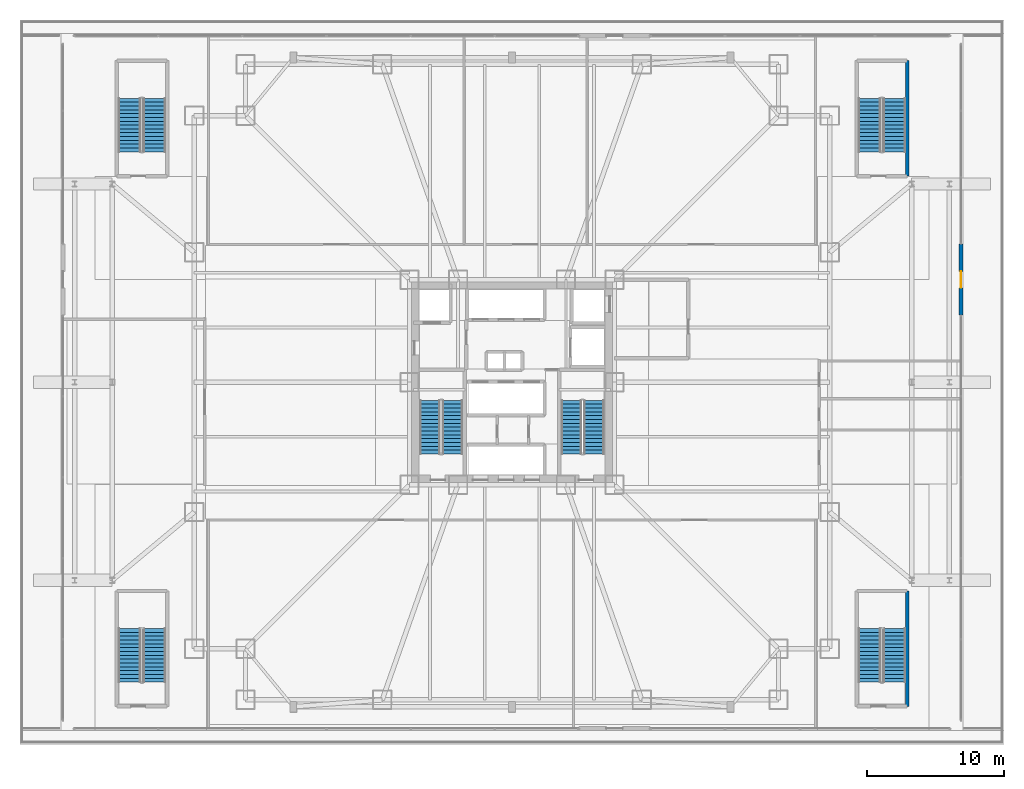
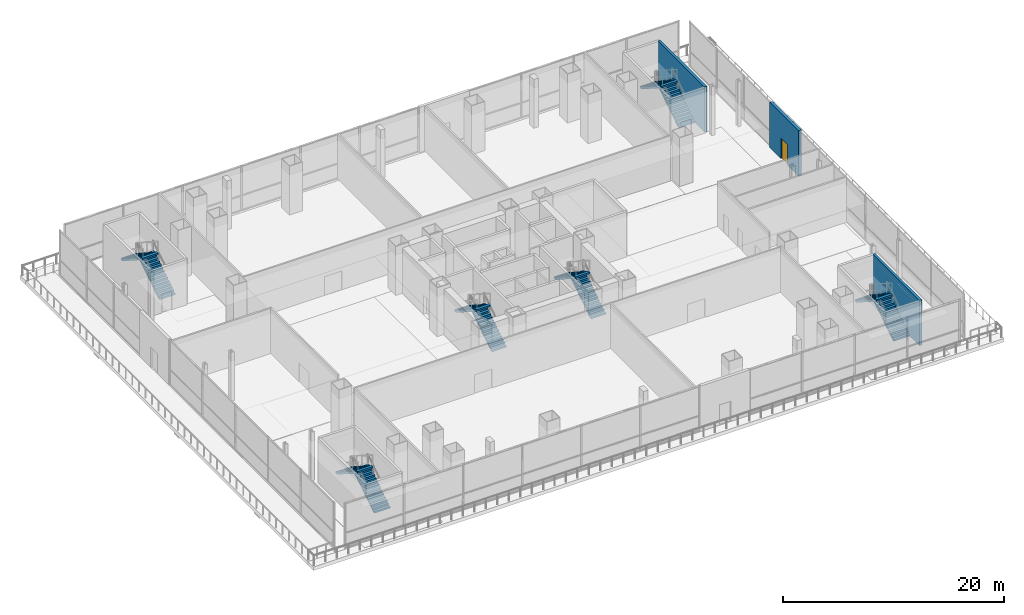
# One storey, part 24 of 36: 12 stair flights, 3 walls, 1 door, 1 opening, 6 elements without a shape of their own.
"""IFC4 building model written with IfcOpenShell, lengths in metres."""

import ifcopenshell
import ifcopenshell.guid

model = None  # the IFC model being written
_history = None  # IfcOwnerHistory: only IFC2X3 demands one
_inside = {}  # id of a spatial element -> (the spatial element, [elements in it])
_under = {}  # id of a project, library or spatial element -> (it, [spatial elements below it])
_declared = {}  # id of a project -> (the project, [libraries it declares])
_typed = {}  # id of a type object -> (the type object, [elements of that type])
_made_of = {}  # id of a material, layer set ... -> (it, [elements and type objects made of it])


def new_model(schema):
    """Start an empty IFC model of exactly this schema.

    Asked for "IFC4X3", IfcOpenShell would pick the latest addendum, in which some entities
    have other attributes; the version numbers below select the first issue.
    IFC2X3 requires an IfcOwnerHistory on every rooted entity: one is made here for all.
    """
    global model, _history
    if schema == "IFC4X3":
        model = ifcopenshell.file(schema_version=(4, 3, 0, 0))
    else:
        model = ifcopenshell.file(schema=schema)
    _inside.clear()
    _under.clear()
    _declared.clear()
    _typed.clear()
    _made_of.clear()
    _history = None
    if model.schema == "IFC2X3":
        org = make("IfcOrganization", Name="unknown")
        user = make(
            "IfcPersonAndOrganization",
            ThePerson=make("IfcPerson", FamilyName="unknown"),
            TheOrganization=org,
        )
        app = make(
            "IfcApplication",
            ApplicationDeveloper=org,
            Version="unknown",
            ApplicationFullName="unknown",
            ApplicationIdentifier="unknown",
        )
        _history = make(
            "IfcOwnerHistory",
            OwningUser=user,
            OwningApplication=app,
            ChangeAction="ADDED",
            CreationDate=0,
        )
    return model


def make(cls, **values):
    """One entity of the class cls with the attributes given. An attribute that is None is left unset."""
    return model.create_entity(
        cls, **{name: value for name, value in values.items() if value is not None}
    )


def rooted(cls, **values):
    """An entity with a GlobalId (a new one), such as an element, a storey or a relation."""
    return make(cls, GlobalId=ifcopenshell.guid.new(), OwnerHistory=_history, **values)


def si_unit(unit_type, name, prefix=None):
    """IfcSIUnit, for example si_unit("LENGTHUNIT", "METRE", prefix="MILLI")."""
    return make("IfcSIUnit", UnitType=unit_type, Prefix=prefix, Name=name)


def assignment(units):
    """IfcUnitAssignment: the units of a project."""
    return None if units is None else make("IfcUnitAssignment", Units=units)


def point(xyz):
    """IfcCartesianPoint."""
    return None if xyz is None else make("IfcCartesianPoint", Coordinates=xyz)


def direction(xyz):
    """IfcDirection."""
    return None if xyz is None else make("IfcDirection", DirectionRatios=xyz)


def frame(location, z_axis=None, x_axis=None):
    """IfcAxis2Placement3D, a coordinate frame: its origin and axes. An axis left out is left unset."""
    return make(
        "IfcAxis2Placement3D",
        Location=point(location),
        Axis=direction(z_axis),
        RefDirection=direction(x_axis),
    )


def frame_2d(location, x_axis=None):
    """IfcAxis2Placement2D, a coordinate frame in the plane: its origin and x axis."""
    return make(
        "IfcAxis2Placement2D", Location=point(location), RefDirection=direction(x_axis)
    )


def origin():
    """The frame at (0, 0, 0) with its axes left unset."""
    return frame((0.0, 0.0, 0.0))


def place(relative_to, where):
    """IfcLocalPlacement: puts the frame where relative to a parent placement (None: the world)."""
    return make(
        "IfcLocalPlacement", PlacementRelTo=relative_to, RelativePlacement=where
    )


def context(
    kind, dimensions, precision=None, world=None, true_north=None, identifier=None
):
    """IfcGeometricRepresentationContext, for example the 3D "Model" context."""
    return make(
        "IfcGeometricRepresentationContext",
        ContextIdentifier=identifier,
        ContextType=kind,
        CoordinateSpaceDimension=dimensions,
        Precision=precision,
        WorldCoordinateSystem=world,
        TrueNorth=true_north,
    )


def subcontext(parent, identifier, kind, view, scale=None):
    """IfcGeometricRepresentationSubContext, for example "Body" below "Model"."""
    return make(
        "IfcGeometricRepresentationSubContext",
        ContextIdentifier=identifier,
        ContextType=kind,
        ParentContext=parent,
        TargetScale=scale,
        TargetView=view,
    )


def project(units=None, contexts=None):
    """IfcProject with its units and contexts."""
    return rooted(
        "IfcProject",
        Name="project",
        RepresentationContexts=contexts,
        UnitsInContext=assignment(units),
    )


def spatial(cls, under=None, at=None, **own):
    """A site, building, storey or space (cls), placed at a placement, below another one or the project."""
    s = rooted(cls, ObjectPlacement=at, **own)
    if under is not None:
        _under.setdefault(under.id(), (under, []))[1].append(s)
    return s


def polyline(points):
    """IfcPolyline through the points."""
    return make("IfcPolyline", Points=[point(p) for p in points])


def profile(cls, at=None, kind="AREA", **sizes):
    """A parametric profile (cls). Its sizes go by their IFC names, for example OverallWidth=200.0."""
    return make(cls, ProfileType=kind, Position=at, **sizes)


def rectangle(**sizes):
    """IfcRectangleProfileDef."""
    return profile("IfcRectangleProfileDef", **sizes)


def outline(outer, holes=None, kind="AREA"):
    """IfcArbitraryClosedProfileDef: a profile drawn as a closed curve; with holes, ...WithVoids."""
    if holes is None:
        return make("IfcArbitraryClosedProfileDef", ProfileType=kind, OuterCurve=outer)
    return make(
        "IfcArbitraryProfileDefWithVoids",
        ProfileType=kind,
        OuterCurve=outer,
        InnerCurves=holes,
    )


def extrude(swept, where, along, depth):
    """IfcExtrudedAreaSolid: the profile swept, set in the frame where, extruded along a direction by depth."""
    return make(
        "IfcExtrudedAreaSolid",
        SweptArea=swept,
        Position=where,
        ExtrudedDirection=direction(along),
        Depth=depth,
    )


def shape(context_of_items, identifier, shape_type, items):
    """IfcShapeRepresentation: the items that make up one representation, for example the "Body"."""
    return make(
        "IfcShapeRepresentation",
        ContextOfItems=context_of_items,
        RepresentationIdentifier=identifier,
        RepresentationType=shape_type,
        Items=items,
    )


def material(Name=None, Category=None):
    """IfcMaterial."""
    return make("IfcMaterial", Name=Name, Category=Category)


def layer(
    of_material, thickness, ventilated=None, Name=None, Category=None, Priority=None
):
    """IfcMaterialLayer: one layer of a wall or slab, of a material (None: an air gap)."""
    return make(
        "IfcMaterialLayer",
        Material=of_material,
        LayerThickness=thickness,
        IsVentilated=ventilated,
        Name=Name,
        Category=Category,
        Priority=Priority,
    )


def layer_set(layers, Name=None):
    """IfcMaterialLayerSet."""
    return make("IfcMaterialLayerSet", MaterialLayers=layers, LayerSetName=Name)


def made_of(thing, what):
    """Note that an element or type object is made of a material, layer set ...; save() writes the relation."""
    if what is not None:
        _made_of.setdefault(what.id(), (what, []))[1].append(thing)
    return thing


def type_object(cls, material=None, **own):
    """A type object (cls), such as IfcWallType, which elements share."""
    return made_of(rooted(cls, **own), material)


def element(
    cls,
    number,
    at=None,
    inside=None,
    cuts=None,
    type_object=None,
    material=None,
    context=None,
    identifier="Body",
    shape_type=None,
    held_by="IfcProductDefinitionShape",
    body=None,
    shapes=None,
    **own,
):
    """One element of the class cls, such as IfcWall. Its Tag is "e" and its number.

    at: its placement. inside: the storey or other place that contains it. cuts: it is an
    opening in that element (IfcRelVoidsElement). A single representation is given by context,
    identifier, shape_type and body (its items); several are given by shapes. held_by: the class
    of the entity that holds the representations. save() writes the other relations.
    """
    e = rooted(cls, Tag="e%d" % number, ObjectPlacement=at, **own)
    if body is not None:
        shapes = [shape(context, identifier, shape_type, body)]
    if shapes is not None:
        e.Representation = make(held_by, Representations=shapes)
    if inside is not None:
        _inside.setdefault(inside.id(), (inside, []))[1].append(e)
    if cuts is not None:
        rooted(
            "IfcRelVoidsElement", RelatingBuildingElement=cuts, RelatedOpeningElement=e
        )
    if type_object is not None:
        _typed.setdefault(type_object.id(), (type_object, []))[1].append(e)
    return made_of(e, material)


def fill(opening, filler):
    """IfcRelFillsElement: the door or window that sits in an opening."""
    return rooted(
        "IfcRelFillsElement",
        RelatingOpeningElement=opening,
        RelatedBuildingElement=filler,
    )


def aggregate(whole, parts):
    """IfcRelAggregates: a whole, such as a stair, and the parts it consists of."""
    return rooted("IfcRelAggregates", RelatingObject=whole, RelatedObjects=parts)


def save(model, path):
    """Write the relations noted so far, then the file.

    IfcRelAggregates (storeys below a building ...), IfcRelContainedInSpatialStructure (elements
    in a storey), IfcRelDefinesByType, IfcRelAssociatesMaterial and IfcRelDeclares: one each for
    every whole, place, type object, material and project.
    """
    for whole, parts in _under.values():
        aggregate(whole, parts)
    for where, things in _inside.values():
        rooted(
            "IfcRelContainedInSpatialStructure",
            RelatedElements=things,
            RelatingStructure=where,
        )
    for kind, things in _typed.values():
        rooted("IfcRelDefinesByType", RelatedObjects=things, RelatingType=kind)
    for what, things in _made_of.values():
        rooted("IfcRelAssociatesMaterial", RelatedObjects=things, RelatingMaterial=what)
    for by, libraries in _declared.values():
        rooted("IfcRelDeclares", RelatingContext=by, RelatedDefinitions=libraries)
    model.write(path)


model = new_model("IFC4")

# Units and contexts
model_context = context("Model", 3, precision=1e-05, world=origin(), true_north=direction((0.0, 1.0)))
body_context = subcontext(model_context, "Body", "Model", "MODEL_VIEW")
ifc_project = project(units=[si_unit("LENGTHUNIT", "METRE"), si_unit("AREAUNIT", "SQUARE_METRE"), si_unit("VOLUMEUNIT", "CUBIC_METRE"), si_unit("PLANEANGLEUNIT", "RADIAN"), si_unit("MASSUNIT", "GRAM", prefix="KILO")], contexts=[model_context])

# Site, building, storey
site_placement = place(None, origin())
site = spatial("IfcSite", under=ifc_project, at=site_placement, CompositionType="ELEMENT")
building_placement = place(site_placement, origin())
building = spatial("IfcBuilding", under=site, at=building_placement, Name="Trevonay Congress Spire", CompositionType="ELEMENT")
storey_placement = place(building_placement, frame((0.0, 0.0, 16.199951171875)))
storey = spatial("IfcBuildingStorey", under=building, at=storey_placement, Name="L03", CompositionType="ELEMENT", Elevation=16.199951171875)

# Wall, opening, door
ifc_material_1 = material(Name="Precast concrete C40/50", Category="concrete")
ifc_layer_1 = layer(ifc_material_1, 0.300048828125, Name="Precast concrete C40/50")
ifc_layer_set_1 = layer_set([ifc_layer_1], Name="Precast concrete C40/50")
wall_type_1 = type_object("IfcWallType", Name="WAL-EXT-PRECAST-300", PredefinedType="SOLIDWALL", material=ifc_layer_set_1)
wall_placement = place(storey_placement, frame((32.85009765625, 4.89990234375, 0.0), z_axis=(0.0, 0.0, 1.0), x_axis=(0.0, 1.0, 0.0)))
wall = element("IfcWall", 1, at=wall_placement, inside=storey, type_object=wall_type_1, Name="L03 E terrace doorway backup wall", PredefinedType="SOLIDWALL", context=body_context, shape_type="SweptSolid", body=[
    extrude(rectangle(XDim=5.2001953125, YDim=0.300048828125, at=frame_2d((2.60009765625, 0.0))), origin(), (0.0, 0.0, 1.0), 5.0),
])
opening_placement = place(wall_placement, frame((2.0, 0.0, 0.0)))
opening = element("IfcOpeningElement", 2, at=opening_placement, cuts=wall, Name="Opening D12", PredefinedType="OPENING", context=body_context, shape_type="SweptSolid", body=[
    extrude(rectangle(XDim=1.199951171875, YDim=2.25, at=frame_2d((0.60009765625, 1.125))), frame((0.0, 0.16015625, 0.0), z_axis=(0.0, -1.0, 0.0), x_axis=(1.0, 0.0, 0.0)), (0.0, 0.0, 1.0), 0.320068359375),
])
ifc_material_2 = material(Name="Pale Anodised Aluminium EN AW-6063-T6", Category="aluminium")
door_type = type_object("IfcDoorType", Name="DOR-EXT-TERR-120", OperationType="NOTDEFINED", PredefinedType="DOOR", material=ifc_material_2)
door_placement = place(opening_placement, origin())
door = element("IfcDoor", 3, at=door_placement, inside=storey, type_object=door_type, Name="L03 E stepped terrace access door", OperationType="SINGLE_SWING_RIGHT", OverallHeight=2.25, OverallWidth=1.199951171875, PredefinedType="DOOR", context=body_context, shape_type="SweptSolid", body=[
    extrude(rectangle(XDim=1.199951171875, YDim=2.25, at=frame_2d((0.60009765625, 1.125))), frame((0.0, 0.02490234375, 0.0), z_axis=(0.0, -1.0, 0.0), x_axis=(1.0, 0.0, 0.0)), (0.0, 0.0, 1.0), 0.050048828125),
])
fill(opening, door)

# Walls
ifc_material_3 = material(Name="Concrete C40/50", Category="concrete")
ifc_layer_2 = layer(ifc_material_3, 0.25, Name="Concrete C40/50")
ifc_layer_set_2 = layer_set([ifc_layer_2], Name="Concrete C40/50")
wall_type_2 = type_object("IfcWallType", Name="WAL-SHAFT-LB-250", PredefinedType="SHEAR", material=ifc_layer_set_2)
for number, where, z_axis, x_axis, name in (
    (4, (28.919921875, -23.719970703125, 0.0), (0.0, 0.0, 1.0), (0.0, 1.0, 0.0), "L03 interior shaft wall WSH-L03-ST-4-E"),
    (5, (28.919921875, 15.080078125, 0.0), (0.0, 0.0, 1.0), (0.0, 1.0, 0.0), "L03 interior shaft wall WSH-L03-ST-6-E"),
):
    element("IfcWall", number, at=place(storey_placement, frame(where, z_axis=z_axis, x_axis=x_axis)), inside=storey, type_object=wall_type_2, Name=name, PredefinedType="SHEAR", context=body_context, shape_type="SweptSolid", body=[
        extrude(rectangle(XDim=8.43994140625, YDim=0.25, at=frame_2d((4.219970703125, 0.0))), origin(), (0.0, 0.0, 1.0), 5.0),
    ])

# Stair, stair flights
stair_type_1 = type_object("IfcStairType", Name="STR-ST-1", PredefinedType="HALF_TURN_STAIR", material=ifc_material_3)
stair_1_placement = place(storey_placement, origin())
stair_1 = element("IfcStair", 6, at=stair_1_placement, inside=storey, type_object=stair_type_1, Name="L03 Protected Exit Stair ST-1", PredefinedType="HALF_TURN_STAIR")
stair_flight_type_1 = type_object("IfcStairFlightType", Name="SFL-ST-1", PredefinedType="STRAIGHT", material=ifc_material_3)
stair_flight_1_placement = place(storey_placement, frame((-4.35009765625, -5.25, 0.0), z_axis=(0.0, 0.0, 1.0), x_axis=(0.0, 1.0, 0.0)))
stair_flight_1 = element("IfcStairFlight", 7, at=stair_flight_1_placement, type_object=stair_flight_type_1, Name="ST-1 flight 1", NumberOfRisers=15, NumberOfTreads=14, PredefinedType="STRAIGHT", RiserHeight=0.18, TreadLength=0.28, context=body_context, shape_type="SweptSolid", body=[
    extrude(outline(polyline([(0.0, 0.0), (0.0, 0.179931640625), (0.280029296875, 0.179931640625), (0.280029296875, 0.360107421875), (0.56005859375, 0.360107421875), (0.56005859375, 0.5400390625), (0.840087890625, 0.5400390625), (0.840087890625, 0.719970703125), (1.1201171875, 0.719970703125), (1.1201171875, 0.89990234375), (1.39990234375, 0.89990234375), (1.39990234375, 1.080078125), (1.679931640625, 1.080078125), (1.679931640625, 1.260009765625), (1.9599609375, 1.260009765625), (1.9599609375, 1.43994140625), (2.239990234375, 1.43994140625), (2.239990234375, 1.6201171875), (2.52001953125, 1.6201171875), (2.52001953125, 1.800048828125), (2.800048828125, 1.800048828125), (2.800048828125, 1.97998046875), (3.080078125, 1.97998046875), (3.080078125, 2.159912109375), (3.360107421875, 2.159912109375), (3.360107421875, 2.340087890625), (3.639892578125, 2.340087890625), (3.639892578125, 2.52001953125), (3.919921875, 2.52001953125), (3.919921875, 2.699951171875), (3.919921875, 2.341796875), (0.277099609375, 0.0), (0.0, 0.0)])), frame((0.0, 0.75, 0.0), z_axis=(0.0, -1.0, 0.0), x_axis=(1.0, 0.0, 0.0)), (0.0, 0.0, 1.0), 1.5),
])
stair_flight_2_placement = place(storey_placement, frame((-6.0, -1.330078125, 2.699951171875), z_axis=(0.0, 0.0, 1.0), x_axis=(0.0, -1.0, 0.0)))
stair_flight_2 = element("IfcStairFlight", 8, at=stair_flight_2_placement, type_object=stair_flight_type_1, Name="ST-1 flight 2", NumberOfRisers=15, NumberOfTreads=14, PredefinedType="STRAIGHT", RiserHeight=0.18, TreadLength=0.28, context=body_context, shape_type="SweptSolid", body=[
    extrude(outline(polyline([(0.0, 0.0), (0.0, 0.179931640625), (0.280029296875, 0.179931640625), (0.280029296875, 0.360107421875), (0.56005859375, 0.360107421875), (0.56005859375, 0.5400390625), (0.840087890625, 0.5400390625), (0.840087890625, 0.719970703125), (1.1201171875, 0.719970703125), (1.1201171875, 0.89990234375), (1.39990234375, 0.89990234375), (1.39990234375, 1.080078125), (1.679931640625, 1.080078125), (1.679931640625, 1.260009765625), (1.9599609375, 1.260009765625), (1.9599609375, 1.43994140625), (2.239990234375, 1.43994140625), (2.239990234375, 1.6201171875), (2.52001953125, 1.6201171875), (2.52001953125, 1.800048828125), (2.800048828125, 1.800048828125), (2.800048828125, 1.97998046875), (3.080078125, 1.97998046875), (3.080078125, 2.159912109375), (3.360107421875, 2.159912109375), (3.360107421875, 2.340087890625), (3.639892578125, 2.340087890625), (3.639892578125, 2.52001953125), (3.919921875, 2.52001953125), (3.919921875, 2.699951171875), (3.919921875, 2.341796875), (0.277099609375, 0.0), (0.0, 0.0)])), frame((0.0, 0.75, 0.0), z_axis=(0.0, -1.0, 0.0), x_axis=(1.0, 0.0, 0.0)), (0.0, 0.0, 1.0), 1.5),
])
aggregate(stair_1, [stair_flight_1, stair_flight_2])

stair_type_2 = type_object("IfcStairType", Name="STR-ST-2", PredefinedType="HALF_TURN_STAIR", material=ifc_material_3)
stair_2_placement = place(storey_placement, origin())
stair_2 = element("IfcStair", 9, at=stair_2_placement, inside=storey, type_object=stair_type_2, Name="L03 Protected Exit Stair ST-2", PredefinedType="HALF_TURN_STAIR")
stair_flight_type_2 = type_object("IfcStairFlightType", Name="SFL-ST-2", PredefinedType="STRAIGHT", material=ifc_material_3)
stair_flight_3_placement = place(storey_placement, frame((6.0, -5.25, 0.0), z_axis=(0.0, 0.0, 1.0), x_axis=(0.0, 1.0, 0.0)))
stair_flight_3 = element("IfcStairFlight", 10, at=stair_flight_3_placement, type_object=stair_flight_type_2, Name="ST-2 flight 1", NumberOfRisers=15, NumberOfTreads=14, PredefinedType="STRAIGHT", RiserHeight=0.18, TreadLength=0.28, context=body_context, shape_type="SweptSolid", body=[
    extrude(outline(polyline([(0.0, 0.0), (0.0, 0.179931640625), (0.280029296875, 0.179931640625), (0.280029296875, 0.360107421875), (0.56005859375, 0.360107421875), (0.56005859375, 0.5400390625), (0.840087890625, 0.5400390625), (0.840087890625, 0.719970703125), (1.1201171875, 0.719970703125), (1.1201171875, 0.89990234375), (1.39990234375, 0.89990234375), (1.39990234375, 1.080078125), (1.679931640625, 1.080078125), (1.679931640625, 1.260009765625), (1.9599609375, 1.260009765625), (1.9599609375, 1.43994140625), (2.239990234375, 1.43994140625), (2.239990234375, 1.6201171875), (2.52001953125, 1.6201171875), (2.52001953125, 1.800048828125), (2.800048828125, 1.800048828125), (2.800048828125, 1.97998046875), (3.080078125, 1.97998046875), (3.080078125, 2.159912109375), (3.360107421875, 2.159912109375), (3.360107421875, 2.340087890625), (3.639892578125, 2.340087890625), (3.639892578125, 2.52001953125), (3.919921875, 2.52001953125), (3.919921875, 2.699951171875), (3.919921875, 2.341796875), (0.277099609375, 0.0), (0.0, 0.0)])), frame((0.0, 0.75, 0.0), z_axis=(0.0, -1.0, 0.0), x_axis=(1.0, 0.0, 0.0)), (0.0, 0.0, 1.0), 1.5),
])
stair_flight_4_placement = place(storey_placement, frame((4.35009765625, -1.330078125, 2.699951171875), z_axis=(0.0, 0.0, 1.0), x_axis=(0.0, -1.0, 0.0)))
stair_flight_4 = element("IfcStairFlight", 11, at=stair_flight_4_placement, type_object=stair_flight_type_2, Name="ST-2 flight 2", NumberOfRisers=15, NumberOfTreads=14, PredefinedType="STRAIGHT", RiserHeight=0.18, TreadLength=0.28, context=body_context, shape_type="SweptSolid", body=[
    extrude(outline(polyline([(0.0, 0.0), (0.0, 0.179931640625), (0.280029296875, 0.179931640625), (0.280029296875, 0.360107421875), (0.56005859375, 0.360107421875), (0.56005859375, 0.5400390625), (0.840087890625, 0.5400390625), (0.840087890625, 0.719970703125), (1.1201171875, 0.719970703125), (1.1201171875, 0.89990234375), (1.39990234375, 0.89990234375), (1.39990234375, 1.080078125), (1.679931640625, 1.080078125), (1.679931640625, 1.260009765625), (1.9599609375, 1.260009765625), (1.9599609375, 1.43994140625), (2.239990234375, 1.43994140625), (2.239990234375, 1.6201171875), (2.52001953125, 1.6201171875), (2.52001953125, 1.800048828125), (2.800048828125, 1.800048828125), (2.800048828125, 1.97998046875), (3.080078125, 1.97998046875), (3.080078125, 2.159912109375), (3.360107421875, 2.159912109375), (3.360107421875, 2.340087890625), (3.639892578125, 2.340087890625), (3.639892578125, 2.52001953125), (3.919921875, 2.52001953125), (3.919921875, 2.699951171875), (3.919921875, 2.341796875), (0.277099609375, 0.0), (0.0, 0.0)])), frame((0.0, 0.75, 0.0), z_axis=(0.0, -1.0, 0.0), x_axis=(1.0, 0.0, 0.0)), (0.0, 0.0, 1.0), 1.5),
])
aggregate(stair_2, [stair_flight_3, stair_flight_4])

stair_type_3 = type_object("IfcStairType", Name="STR-ST-3", PredefinedType="HALF_TURN_STAIR", material=ifc_material_3)
stair_3_placement = place(storey_placement, origin())
stair_3 = element("IfcStair", 12, at=stair_3_placement, inside=storey, type_object=stair_type_3, Name="L03 Protected Exit Stair ST-3", PredefinedType="HALF_TURN_STAIR")
stair_flight_type_3 = type_object("IfcStairFlightType", Name="SFL-ST-3", PredefinedType="STRAIGHT", material=ifc_material_3)
stair_flight_5_placement = place(storey_placement, frame((-26.175048828125, -21.949951171875, 0.0), z_axis=(0.0, 0.0, 1.0), x_axis=(0.0, 1.0, 0.0)))
stair_flight_5 = element("IfcStairFlight", 13, at=stair_flight_5_placement, type_object=stair_flight_type_3, Name="ST-3 flight 1", NumberOfRisers=15, NumberOfTreads=14, PredefinedType="STRAIGHT", RiserHeight=0.18, TreadLength=0.28, context=body_context, shape_type="SweptSolid", body=[
    extrude(outline(polyline([(0.0, 0.0), (0.0, 0.179931640625), (0.280029296875, 0.179931640625), (0.280029296875, 0.360107421875), (0.56005859375, 0.360107421875), (0.56005859375, 0.5400390625), (0.840087890625, 0.5400390625), (0.840087890625, 0.719970703125), (1.1201171875, 0.719970703125), (1.1201171875, 0.89990234375), (1.39990234375, 0.89990234375), (1.39990234375, 1.080078125), (1.679931640625, 1.080078125), (1.679931640625, 1.260009765625), (1.9599609375, 1.260009765625), (1.9599609375, 1.43994140625), (2.239990234375, 1.43994140625), (2.239990234375, 1.6201171875), (2.52001953125, 1.6201171875), (2.52001953125, 1.800048828125), (2.800048828125, 1.800048828125), (2.800048828125, 1.97998046875), (3.080078125, 1.97998046875), (3.080078125, 2.159912109375), (3.360107421875, 2.159912109375), (3.360107421875, 2.340087890625), (3.639892578125, 2.340087890625), (3.639892578125, 2.52001953125), (3.919921875, 2.52001953125), (3.919921875, 2.699951171875), (3.919921875, 2.341796875), (0.277099609375, 0.0), (0.0, 0.0)])), frame((0.0, 0.824951171875, 0.0), z_axis=(0.0, -1.0, 0.0), x_axis=(1.0, 0.0, 0.0)), (0.0, 0.0, 1.0), 1.64990234375),
])
stair_flight_6_placement = place(storey_placement, frame((-27.97509765625, -18.030029296875, 2.699951171875), z_axis=(0.0, 0.0, 1.0), x_axis=(0.0, -1.0, 0.0)))
stair_flight_6 = element("IfcStairFlight", 14, at=stair_flight_6_placement, type_object=stair_flight_type_3, Name="ST-3 flight 2", NumberOfRisers=15, NumberOfTreads=14, PredefinedType="STRAIGHT", RiserHeight=0.18, TreadLength=0.28, context=body_context, shape_type="SweptSolid", body=[
    extrude(outline(polyline([(0.0, 0.0), (0.0, 0.179931640625), (0.280029296875, 0.179931640625), (0.280029296875, 0.360107421875), (0.56005859375, 0.360107421875), (0.56005859375, 0.5400390625), (0.840087890625, 0.5400390625), (0.840087890625, 0.719970703125), (1.1201171875, 0.719970703125), (1.1201171875, 0.89990234375), (1.39990234375, 0.89990234375), (1.39990234375, 1.080078125), (1.679931640625, 1.080078125), (1.679931640625, 1.260009765625), (1.9599609375, 1.260009765625), (1.9599609375, 1.43994140625), (2.239990234375, 1.43994140625), (2.239990234375, 1.6201171875), (2.52001953125, 1.6201171875), (2.52001953125, 1.800048828125), (2.800048828125, 1.800048828125), (2.800048828125, 1.97998046875), (3.080078125, 1.97998046875), (3.080078125, 2.159912109375), (3.360107421875, 2.159912109375), (3.360107421875, 2.340087890625), (3.639892578125, 2.340087890625), (3.639892578125, 2.52001953125), (3.919921875, 2.52001953125), (3.919921875, 2.699951171875), (3.919921875, 2.341796875), (0.277099609375, 0.0), (0.0, 0.0)])), frame((0.0, 0.824951171875, 0.0), z_axis=(0.0, -1.0, 0.0), x_axis=(1.0, 0.0, 0.0)), (0.0, 0.0, 1.0), 1.64990234375),
])
aggregate(stair_3, [stair_flight_5, stair_flight_6])

stair_type_4 = type_object("IfcStairType", Name="STR-ST-4", PredefinedType="HALF_TURN_STAIR", material=ifc_material_3)
stair_4_placement = place(storey_placement, origin())
stair_4 = element("IfcStair", 15, at=stair_4_placement, inside=storey, type_object=stair_type_4, Name="L03 Protected Exit Stair ST-4", PredefinedType="HALF_TURN_STAIR")
stair_flight_type_4 = type_object("IfcStairFlightType", Name="SFL-ST-4", PredefinedType="STRAIGHT", material=ifc_material_3)
stair_flight_7_placement = place(storey_placement, frame((27.97509765625, -21.949951171875, 0.0), z_axis=(0.0, 0.0, 1.0), x_axis=(0.0, 1.0, 0.0)))
stair_flight_7 = element("IfcStairFlight", 16, at=stair_flight_7_placement, type_object=stair_flight_type_4, Name="ST-4 flight 1", NumberOfRisers=15, NumberOfTreads=14, PredefinedType="STRAIGHT", RiserHeight=0.18, TreadLength=0.28, context=body_context, shape_type="SweptSolid", body=[
    extrude(outline(polyline([(0.0, 0.0), (0.0, 0.179931640625), (0.280029296875, 0.179931640625), (0.280029296875, 0.360107421875), (0.56005859375, 0.360107421875), (0.56005859375, 0.5400390625), (0.840087890625, 0.5400390625), (0.840087890625, 0.719970703125), (1.1201171875, 0.719970703125), (1.1201171875, 0.89990234375), (1.39990234375, 0.89990234375), (1.39990234375, 1.080078125), (1.679931640625, 1.080078125), (1.679931640625, 1.260009765625), (1.9599609375, 1.260009765625), (1.9599609375, 1.43994140625), (2.239990234375, 1.43994140625), (2.239990234375, 1.6201171875), (2.52001953125, 1.6201171875), (2.52001953125, 1.800048828125), (2.800048828125, 1.800048828125), (2.800048828125, 1.97998046875), (3.080078125, 1.97998046875), (3.080078125, 2.159912109375), (3.360107421875, 2.159912109375), (3.360107421875, 2.340087890625), (3.639892578125, 2.340087890625), (3.639892578125, 2.52001953125), (3.919921875, 2.52001953125), (3.919921875, 2.699951171875), (3.919921875, 2.341796875), (0.277099609375, 0.0), (0.0, 0.0)])), frame((0.0, 0.824951171875, 0.0), z_axis=(0.0, -1.0, 0.0), x_axis=(1.0, 0.0, 0.0)), (0.0, 0.0, 1.0), 1.64990234375),
])
stair_flight_8_placement = place(storey_placement, frame((26.175048828125, -18.030029296875, 2.699951171875), z_axis=(0.0, 0.0, 1.0), x_axis=(0.0, -1.0, 0.0)))
stair_flight_8 = element("IfcStairFlight", 17, at=stair_flight_8_placement, type_object=stair_flight_type_4, Name="ST-4 flight 2", NumberOfRisers=15, NumberOfTreads=14, PredefinedType="STRAIGHT", RiserHeight=0.18, TreadLength=0.28, context=body_context, shape_type="SweptSolid", body=[
    extrude(outline(polyline([(0.0, 0.0), (0.0, 0.179931640625), (0.280029296875, 0.179931640625), (0.280029296875, 0.360107421875), (0.56005859375, 0.360107421875), (0.56005859375, 0.5400390625), (0.840087890625, 0.5400390625), (0.840087890625, 0.719970703125), (1.1201171875, 0.719970703125), (1.1201171875, 0.89990234375), (1.39990234375, 0.89990234375), (1.39990234375, 1.080078125), (1.679931640625, 1.080078125), (1.679931640625, 1.260009765625), (1.9599609375, 1.260009765625), (1.9599609375, 1.43994140625), (2.239990234375, 1.43994140625), (2.239990234375, 1.6201171875), (2.52001953125, 1.6201171875), (2.52001953125, 1.800048828125), (2.800048828125, 1.800048828125), (2.800048828125, 1.97998046875), (3.080078125, 1.97998046875), (3.080078125, 2.159912109375), (3.360107421875, 2.159912109375), (3.360107421875, 2.340087890625), (3.639892578125, 2.340087890625), (3.639892578125, 2.52001953125), (3.919921875, 2.52001953125), (3.919921875, 2.699951171875), (3.919921875, 2.341796875), (0.277099609375, 0.0), (0.0, 0.0)])), frame((0.0, 0.824951171875, 0.0), z_axis=(0.0, -1.0, 0.0), x_axis=(1.0, 0.0, 0.0)), (0.0, 0.0, 1.0), 1.64990234375),
])
aggregate(stair_4, [stair_flight_7, stair_flight_8])

stair_type_5 = type_object("IfcStairType", Name="STR-ST-5", PredefinedType="HALF_TURN_STAIR", material=ifc_material_3)
stair_5_placement = place(storey_placement, origin())
stair_5 = element("IfcStair", 18, at=stair_5_placement, inside=storey, type_object=stair_type_5, Name="L03 Protected Exit Stair ST-5", PredefinedType="HALF_TURN_STAIR")
stair_flight_type_5 = type_object("IfcStairFlightType", Name="SFL-ST-5", PredefinedType="STRAIGHT", material=ifc_material_3)
stair_flight_9_placement = place(storey_placement, frame((-26.175048828125, 16.85009765625, 0.0), z_axis=(0.0, 0.0, 1.0), x_axis=(0.0, 1.0, 0.0)))
stair_flight_9 = element("IfcStairFlight", 19, at=stair_flight_9_placement, type_object=stair_flight_type_5, Name="ST-5 flight 1", NumberOfRisers=15, NumberOfTreads=14, PredefinedType="STRAIGHT", RiserHeight=0.18, TreadLength=0.28, context=body_context, shape_type="SweptSolid", body=[
    extrude(outline(polyline([(0.0, 0.0), (0.0, 0.179931640625), (0.280029296875, 0.179931640625), (0.280029296875, 0.360107421875), (0.56005859375, 0.360107421875), (0.56005859375, 0.5400390625), (0.840087890625, 0.5400390625), (0.840087890625, 0.719970703125), (1.1201171875, 0.719970703125), (1.1201171875, 0.89990234375), (1.39990234375, 0.89990234375), (1.39990234375, 1.080078125), (1.679931640625, 1.080078125), (1.679931640625, 1.260009765625), (1.9599609375, 1.260009765625), (1.9599609375, 1.43994140625), (2.239990234375, 1.43994140625), (2.239990234375, 1.6201171875), (2.52001953125, 1.6201171875), (2.52001953125, 1.800048828125), (2.800048828125, 1.800048828125), (2.800048828125, 1.97998046875), (3.080078125, 1.97998046875), (3.080078125, 2.159912109375), (3.360107421875, 2.159912109375), (3.360107421875, 2.340087890625), (3.639892578125, 2.340087890625), (3.639892578125, 2.52001953125), (3.919921875, 2.52001953125), (3.919921875, 2.699951171875), (3.919921875, 2.341796875), (0.277099609375, 0.0), (0.0, 0.0)])), frame((0.0, 0.824951171875, 0.0), z_axis=(0.0, -1.0, 0.0), x_axis=(1.0, 0.0, 0.0)), (0.0, 0.0, 1.0), 1.64990234375),
])
stair_flight_10_placement = place(storey_placement, frame((-27.97509765625, 20.77001953125, 2.699951171875), z_axis=(0.0, 0.0, 1.0), x_axis=(0.0, -1.0, 0.0)))
stair_flight_10 = element("IfcStairFlight", 20, at=stair_flight_10_placement, type_object=stair_flight_type_5, Name="ST-5 flight 2", NumberOfRisers=15, NumberOfTreads=14, PredefinedType="STRAIGHT", RiserHeight=0.18, TreadLength=0.28, context=body_context, shape_type="SweptSolid", body=[
    extrude(outline(polyline([(0.0, 0.0), (0.0, 0.179931640625), (0.280029296875, 0.179931640625), (0.280029296875, 0.360107421875), (0.56005859375, 0.360107421875), (0.56005859375, 0.5400390625), (0.840087890625, 0.5400390625), (0.840087890625, 0.719970703125), (1.1201171875, 0.719970703125), (1.1201171875, 0.89990234375), (1.39990234375, 0.89990234375), (1.39990234375, 1.080078125), (1.679931640625, 1.080078125), (1.679931640625, 1.260009765625), (1.9599609375, 1.260009765625), (1.9599609375, 1.43994140625), (2.239990234375, 1.43994140625), (2.239990234375, 1.6201171875), (2.52001953125, 1.6201171875), (2.52001953125, 1.800048828125), (2.800048828125, 1.800048828125), (2.800048828125, 1.97998046875), (3.080078125, 1.97998046875), (3.080078125, 2.159912109375), (3.360107421875, 2.159912109375), (3.360107421875, 2.340087890625), (3.639892578125, 2.340087890625), (3.639892578125, 2.52001953125), (3.919921875, 2.52001953125), (3.919921875, 2.699951171875), (3.919921875, 2.341796875), (0.277099609375, 0.0), (0.0, 0.0)])), frame((0.0, 0.824951171875, 0.0), z_axis=(0.0, -1.0, 0.0), x_axis=(1.0, 0.0, 0.0)), (0.0, 0.0, 1.0), 1.64990234375),
])
aggregate(stair_5, [stair_flight_9, stair_flight_10])

stair_type_6 = type_object("IfcStairType", Name="STR-ST-6", PredefinedType="HALF_TURN_STAIR", material=ifc_material_3)
stair_6_placement = place(storey_placement, origin())
stair_6 = element("IfcStair", 21, at=stair_6_placement, inside=storey, type_object=stair_type_6, Name="L03 Protected Exit Stair ST-6", PredefinedType="HALF_TURN_STAIR")
stair_flight_type_6 = type_object("IfcStairFlightType", Name="SFL-ST-6", PredefinedType="STRAIGHT", material=ifc_material_3)
stair_flight_11_placement = place(storey_placement, frame((27.97509765625, 16.85009765625, 0.0), z_axis=(0.0, 0.0, 1.0), x_axis=(0.0, 1.0, 0.0)))
stair_flight_11 = element("IfcStairFlight", 22, at=stair_flight_11_placement, type_object=stair_flight_type_6, Name="ST-6 flight 1", NumberOfRisers=15, NumberOfTreads=14, PredefinedType="STRAIGHT", RiserHeight=0.18, TreadLength=0.28, context=body_context, shape_type="SweptSolid", body=[
    extrude(outline(polyline([(0.0, 0.0), (0.0, 0.179931640625), (0.280029296875, 0.179931640625), (0.280029296875, 0.360107421875), (0.56005859375, 0.360107421875), (0.56005859375, 0.5400390625), (0.840087890625, 0.5400390625), (0.840087890625, 0.719970703125), (1.1201171875, 0.719970703125), (1.1201171875, 0.89990234375), (1.39990234375, 0.89990234375), (1.39990234375, 1.080078125), (1.679931640625, 1.080078125), (1.679931640625, 1.260009765625), (1.9599609375, 1.260009765625), (1.9599609375, 1.43994140625), (2.239990234375, 1.43994140625), (2.239990234375, 1.6201171875), (2.52001953125, 1.6201171875), (2.52001953125, 1.800048828125), (2.800048828125, 1.800048828125), (2.800048828125, 1.97998046875), (3.080078125, 1.97998046875), (3.080078125, 2.159912109375), (3.360107421875, 2.159912109375), (3.360107421875, 2.340087890625), (3.639892578125, 2.340087890625), (3.639892578125, 2.52001953125), (3.919921875, 2.52001953125), (3.919921875, 2.699951171875), (3.919921875, 2.341796875), (0.277099609375, 0.0), (0.0, 0.0)])), frame((0.0, 0.824951171875, 0.0), z_axis=(0.0, -1.0, 0.0), x_axis=(1.0, 0.0, 0.0)), (0.0, 0.0, 1.0), 1.64990234375),
])
stair_flight_12_placement = place(storey_placement, frame((26.175048828125, 20.77001953125, 2.699951171875), z_axis=(0.0, 0.0, 1.0), x_axis=(0.0, -1.0, 0.0)))
stair_flight_12 = element("IfcStairFlight", 23, at=stair_flight_12_placement, type_object=stair_flight_type_6, Name="ST-6 flight 2", NumberOfRisers=15, NumberOfTreads=14, PredefinedType="STRAIGHT", RiserHeight=0.18, TreadLength=0.28, context=body_context, shape_type="SweptSolid", body=[
    extrude(outline(polyline([(0.0, 0.0), (0.0, 0.179931640625), (0.280029296875, 0.179931640625), (0.280029296875, 0.360107421875), (0.56005859375, 0.360107421875), (0.56005859375, 0.5400390625), (0.840087890625, 0.5400390625), (0.840087890625, 0.719970703125), (1.1201171875, 0.719970703125), (1.1201171875, 0.89990234375), (1.39990234375, 0.89990234375), (1.39990234375, 1.080078125), (1.679931640625, 1.080078125), (1.679931640625, 1.260009765625), (1.9599609375, 1.260009765625), (1.9599609375, 1.43994140625), (2.239990234375, 1.43994140625), (2.239990234375, 1.6201171875), (2.52001953125, 1.6201171875), (2.52001953125, 1.800048828125), (2.800048828125, 1.800048828125), (2.800048828125, 1.97998046875), (3.080078125, 1.97998046875), (3.080078125, 2.159912109375), (3.360107421875, 2.159912109375), (3.360107421875, 2.340087890625), (3.639892578125, 2.340087890625), (3.639892578125, 2.52001953125), (3.919921875, 2.52001953125), (3.919921875, 2.699951171875), (3.919921875, 2.341796875), (0.277099609375, 0.0), (0.0, 0.0)])), frame((0.0, 0.824951171875, 0.0), z_axis=(0.0, -1.0, 0.0), x_axis=(1.0, 0.0, 0.0)), (0.0, 0.0, 1.0), 1.64990234375),
])
aggregate(stair_6, [stair_flight_11, stair_flight_12])

save(model, "model.ifc")
